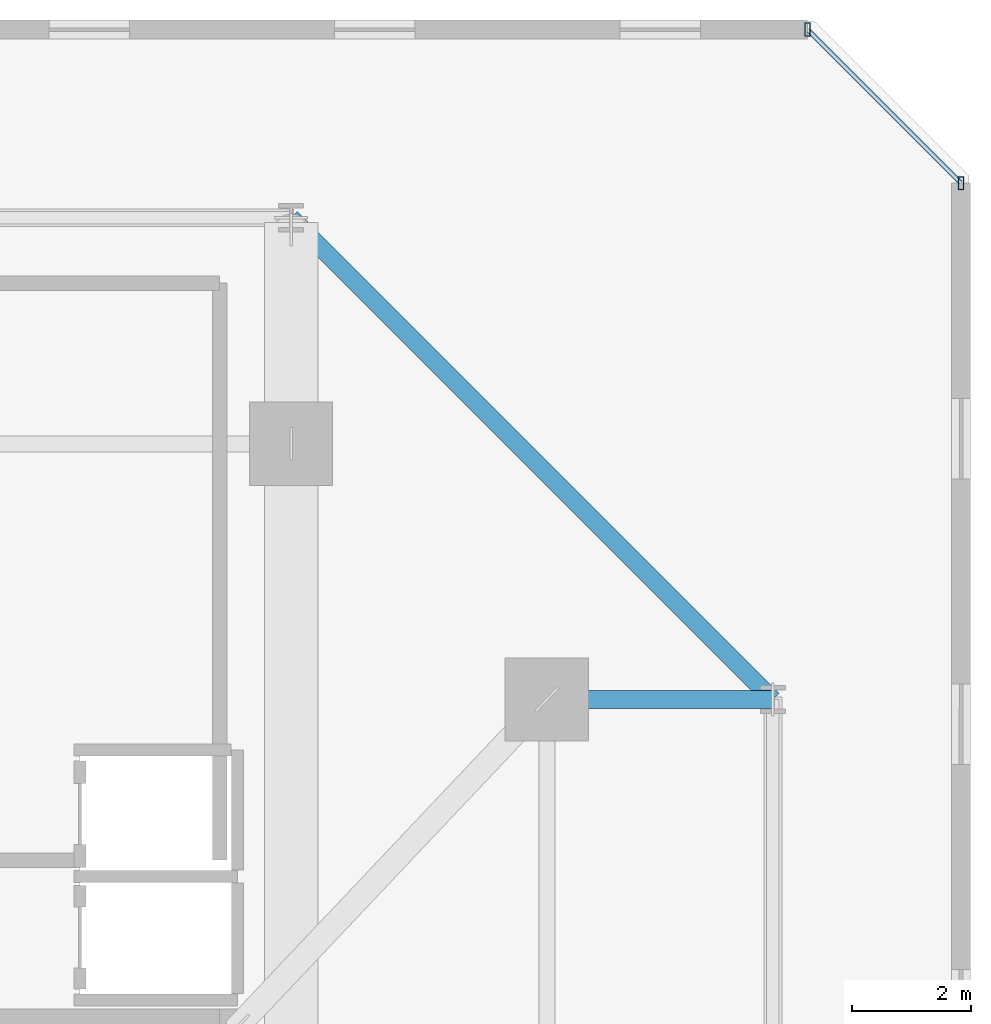
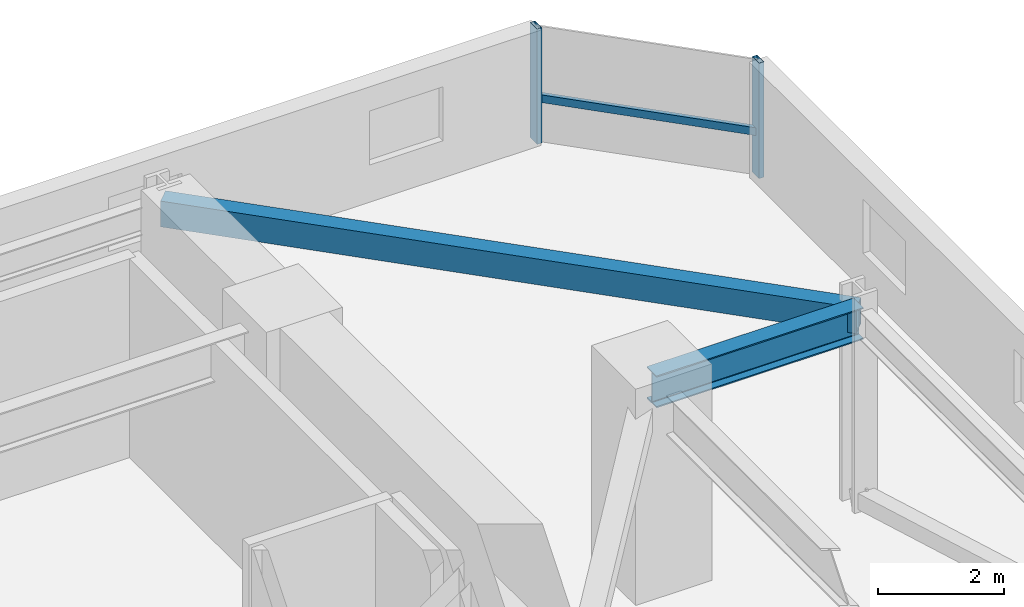
# One storey, part 22 of 38: 3 members, 2 beams, 1 element without a shape of its own.
"""IFC4 building model written with IfcOpenShell, lengths in metres."""

from ifc_helpers import new_model, si_unit, direction, frame, origin, origin_2d, place, context, subcontext, project, spatial, hollow_rectangle, i_section, extrude, material, material_profile, profile_set, type_object, element, aggregate, save


model = new_model("IFC4")

# Units and contexts
model_context = context("Model", 3, precision=1e-05, world=origin(), true_north=direction((0.0, 1.0)))
body_context = subcontext(model_context, "Body", "Model", "MODEL_VIEW")
ifc_project = project(units=[si_unit("LENGTHUNIT", "METRE"), si_unit("AREAUNIT", "SQUARE_METRE"), si_unit("VOLUMEUNIT", "CUBIC_METRE"), si_unit("PLANEANGLEUNIT", "RADIAN"), si_unit("MASSUNIT", "GRAM", prefix="KILO")], contexts=[model_context])

# Site, building, storey
site_placement = place(None, origin())
site = spatial("IfcSite", under=ifc_project, at=site_placement, CompositionType="ELEMENT")
building_placement = place(site_placement, origin())
building = spatial("IfcBuilding", under=site, at=building_placement, Name="Thornwick Lancets Civic Towers", CompositionType="ELEMENT")
storey_placement = place(building_placement, frame((0.0, 0.0, 71.699951171875)))
storey = spatial("IfcBuildingStorey", under=building, at=storey_placement, Name="L18", CompositionType="ELEMENT", Elevation=71.699951171875)

# Beams
ifc_material_1 = material(Name="Steel S355JR", Category="steel")
ifc_material_profile_1 = material_profile(ifc_material_1, i_section(OverallWidth=0.30712890625, OverallDepth=0.6201171875, WebThickness=0.01416015625, FlangeThickness=0.023681640625, FilletRadius=0.0166015625, at=origin_2d()), Name="UKB 610x305x179")
ifc_profile_set_1 = profile_set([ifc_material_profile_1], Name="Steel S355JR")
beam_type_1 = type_object("IfcBeamType", Name="BM_GIRD_610_179", PredefinedType="BEAM", material=ifc_profile_set_1)
beam_1_placement = place(storey_placement, frame((105.800048828125, 40.0, 3.570068359375), z_axis=(1.0, 0.0, 0.0), x_axis=(0.0, 1.0, 0.0)))
element("IfcBeam", 1, at=beam_1_placement, inside=storey, type_object=beam_type_1, Name="BM-RAD-L18-B03", PredefinedType="BEAM", context=body_context, shape_type="SweptSolid", body=[
    extrude(i_section(OverallWidth=0.30712890625, OverallDepth=0.6201171875, WebThickness=0.01416015625, FlangeThickness=0.023681640625, FilletRadius=0.0166015625, at=origin_2d()), origin(), (0.0, 0.0, 1.0), 3.800048828125),
])
ifc_material_2 = material(Name="Steel S460M", Category="steel")
ifc_material_profile_2 = material_profile(ifc_material_2, hollow_rectangle(XDim=0.300048828125, YDim=0.5, WallThickness=0.02001953125, at=origin_2d()), Name="RHS 500x300x20")
ifc_profile_set_2 = profile_set([ifc_material_profile_2], Name="Steel S460M")
beam_type_2 = type_object("IfcBeamType", Name="BM_RING_RHS500", PredefinedType="BEAM", material=ifc_profile_set_2)
beam_2_placement = place(storey_placement, frame((109.60009765625, 40.0, 3.630126953125), z_axis=(-0.707106781187, 0.707106781187, 0.0), x_axis=(-0.707106781187, -0.707106781187, 0.0)))
element("IfcBeam", 2, at=beam_2_placement, inside=storey, type_object=beam_type_2, Name="BM-CHAMF-L18-B-C0", PredefinedType="BEAM", context=body_context, shape_type="SweptSolid", body=[
    extrude(hollow_rectangle(XDim=0.300048828125, YDim=0.5, WallThickness=0.02001953125, at=origin_2d()), origin(), (0.0, 0.0, 1.0), 11.455322265625),
])

# Curtain wall, members
ifc_material_3 = material(Name="Low-zone chamfered-corner unitised glass curtain wall", Category="glass")
curtain_wall_type = type_object("IfcCurtainWallType", Name="CW_SYS_03", PredefinedType="NOTDEFINED", material=ifc_material_3)
curtain_wall_placement = place(storey_placement, origin())
curtain_wall = element("IfcCurtainWall", 3, at=curtain_wall_placement, inside=storey, type_object=curtain_wall_type, Name="L18 Curtain Wall CW-L18-B-E3", PredefinedType="NOTDEFINED")
ifc_material_4 = material(Name="Thermally broken bronze aluminium S355", Category="steel")
ifc_material_profile_3 = material_profile(ifc_material_4, hollow_rectangle(XDim=0.090087890625, YDim=0.219970703125, WallThickness=0.00634765625, at=origin_2d()), Name="RHS 220x90x6.3")
ifc_profile_set_3 = profile_set([ifc_material_profile_3], Name="Thermally broken bronze aluminium S355")
member_type_1 = type_object("IfcMemberType", Name="CW_MUL_220", PredefinedType="MULLION", material=ifc_profile_set_3)
member_1_placement = place(storey_placement, frame((112.764892578125, 48.68115234375, 0.0), z_axis=(0.0, 0.0, 1.0), x_axis=(1.0, 0.0, 0.0)))
member_1 = element("IfcMember", 4, at=member_1_placement, type_object=member_type_1, Name="CW-L18-B-E3 Mullion 0", PredefinedType="MULLION", context=body_context, shape_type="SweptSolid", body=[
    extrude(hollow_rectangle(XDim=0.090087890625, YDim=0.219970703125, WallThickness=0.00634765625, at=origin_2d()), origin(), (0.0, 0.0, 1.0), 2.239990234375),
])
member_2_placement = place(storey_placement, frame((110.18115234375, 51.264892578125, 0.0), z_axis=(0.0, 0.0, 1.0), x_axis=(1.0, 0.0, 0.0)))
member_2 = element("IfcMember", 5, at=member_2_placement, type_object=member_type_1, Name="CW-L18-B-E3 Mullion 1", PredefinedType="MULLION", context=body_context, shape_type="SweptSolid", body=[
    extrude(hollow_rectangle(XDim=0.090087890625, YDim=0.219970703125, WallThickness=0.00634765625, at=origin_2d()), origin(), (0.0, 0.0, 1.0), 2.239990234375),
])
ifc_material_profile_4 = material_profile(ifc_material_4, hollow_rectangle(XDim=0.074951171875, YDim=0.14990234375, WallThickness=0.0048828125, at=origin_2d()), Name="RHS 150x75x5")
ifc_profile_set_4 = profile_set([ifc_material_profile_4], Name="Thermally broken bronze aluminium S355")
member_type_2 = type_object("IfcMemberType", Name="CW_TRN_150", PredefinedType="USERDEFINED", material=ifc_profile_set_4)
member_3_placement = place(storey_placement, frame((112.750732421875, 48.6953125, 0.85009765625), z_axis=(-0.707106781187, 0.707106781187, 0.0), x_axis=(-0.707106781187, -0.707106781187, 0.0)))
member_3 = element("IfcMember", 6, at=member_3_placement, type_object=member_type_2, Name="CW-L18-B-E3 Transom 0", ObjectType="TRANSOM", PredefinedType="USERDEFINED", context=body_context, shape_type="SweptSolid", body=[
    extrude(hollow_rectangle(XDim=0.074951171875, YDim=0.14990234375, WallThickness=0.0048828125, at=origin_2d()), origin(), (0.0, 0.0, 1.0), 3.614013671875),
])
aggregate(curtain_wall, [member_1, member_2, member_3])

save(model, "model.ifc")
